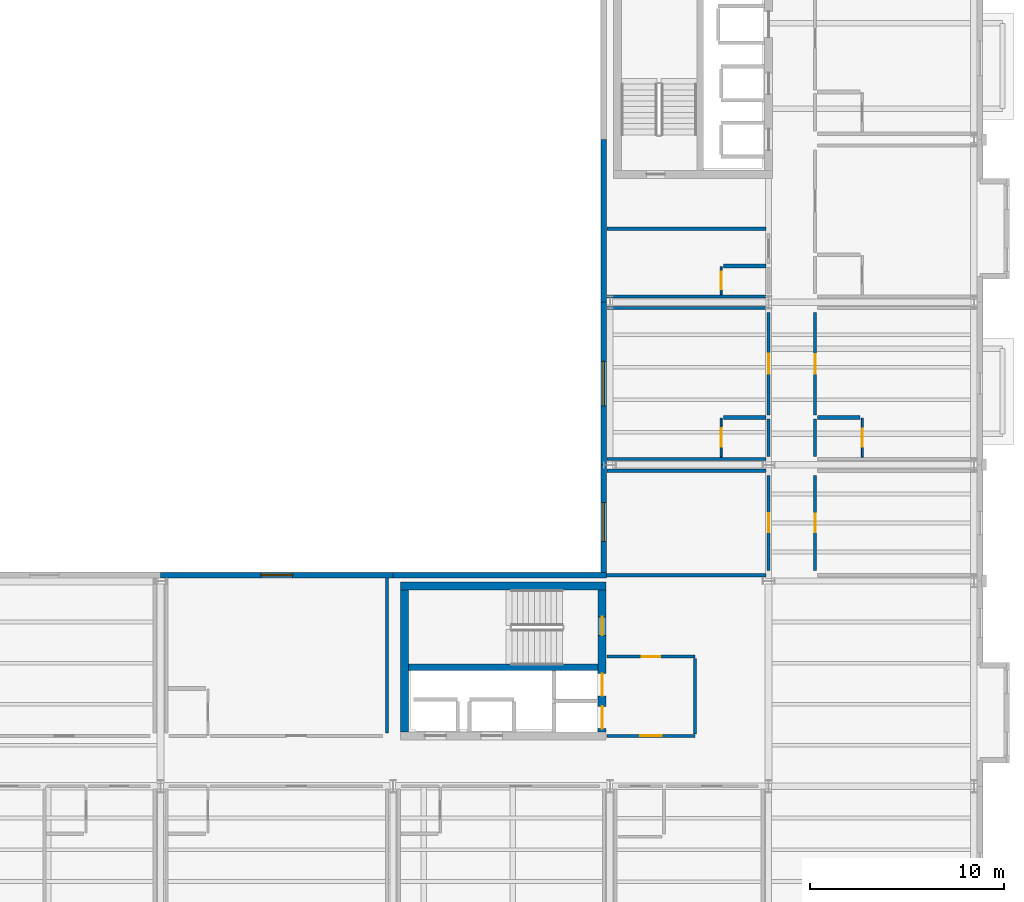
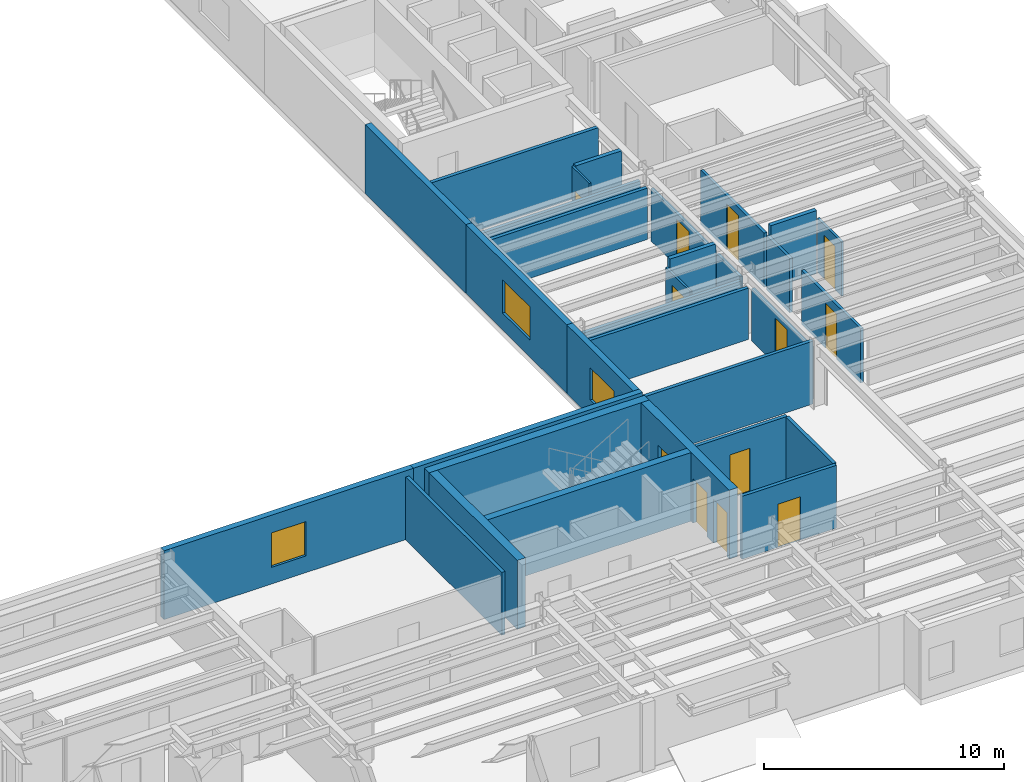
# One storey, part 15 of 23: 31 walls, 12 doors, 3 windows, 15 openings.
"""IFC4 building model written with IfcOpenShell, lengths in metres."""

from ifc_helpers import new_model, si_unit, direction, frame, frame_2d, origin, place, context, subcontext, project, spatial, rectangle, extrude, material, layer, layer_set, type_object, element, fill, save


model = new_model("IFC4")

# Units and contexts
model_context = context("Model", 3, precision=1e-05, world=origin(), true_north=direction((0.0, 1.0)))
body_context = subcontext(model_context, "Body", "Model", "MODEL_VIEW")
ifc_project = project(units=[si_unit("LENGTHUNIT", "METRE"), si_unit("AREAUNIT", "SQUARE_METRE"), si_unit("VOLUMEUNIT", "CUBIC_METRE"), si_unit("PLANEANGLEUNIT", "RADIAN"), si_unit("MASSUNIT", "GRAM", prefix="KILO")], contexts=[model_context])

# Site, building, storey
site_placement = place(None, origin())
site = spatial("IfcSite", under=ifc_project, at=site_placement, CompositionType="ELEMENT")
building_placement = place(site_placement, origin())
building = spatial("IfcBuilding", under=site, at=building_placement, Name="Sollismere Congress Hotel", CompositionType="ELEMENT")
storey_placement = place(building_placement, frame((0.0, 0.0, 30.60009765625)))
storey = spatial("IfcBuildingStorey", under=building, at=storey_placement, Name="L07", CompositionType="ELEMENT", Elevation=30.60009765625)

# Wall, opening, window
ifc_material_1 = material(Name="Colorado Buff Sandstone Rainscreen on Insulated Backup", Category="masonry")
ifc_layer_1 = layer(ifc_material_1, 0.284912109375, Name="Colorado Buff Sandstone Rainscreen on Insulated Backup")
ifc_layer_set_1 = layer_set([ifc_layer_1], Name="Colorado Buff Sandstone Rainscreen on Insulated Backup")
wall_type_1 = type_object("IfcWallType", Name="WL-EXT285", PredefinedType="STANDARD", material=ifc_layer_set_1)
wall_1_placement = place(storey_placement, frame((136.0, 19.110107421875, 0.0), z_axis=(0.0, 0.0, 1.0), x_axis=(-1.0, 0.0, 0.0)))
wall_1 = element("IfcWall", 1, at=wall_1_placement, inside=storey, type_object=wall_type_1, Name="Exterior wall EW-L07-800", PredefinedType="STANDARD", context=body_context, shape_type="SweptSolid", body=[
    extrude(rectangle(XDim=12.0, YDim=0.284912109375, at=frame_2d((6.0, 0.0))), origin(), (0.0, 0.0, 1.0), 3.5),
])
opening_1_placement = place(wall_1_placement, frame((5.175048828125, 0.0, 0.85009765625)))
opening_1 = element("IfcOpeningElement", 2, at=opening_1_placement, cuts=wall_1, Name="Opening W-L07-580", PredefinedType="OPENING", context=body_context, shape_type="SweptSolid", body=[
    extrude(rectangle(XDim=1.64990234375, YDim=1.75, at=frame_2d((0.824951171875, 0.875))), frame((0.0, 0.15234375, 0.0), z_axis=(0.0, -1.0, 0.0), x_axis=(1.0, 0.0, 0.0)), (0.0, 0.0, 1.0), 0.304931640625),
])
ifc_material_2 = material(Name="Thermally Broken Bronze Aluminum & Low-E Glass", Category="aluminium")
window_type_1 = type_object("IfcWindowType", Name="WN-P165x175", PartitioningType="SINGLE_PANEL", PredefinedType="WINDOW", material=ifc_material_2)
window_1_placement = place(opening_1_placement, origin())
window_1 = element("IfcWindow", 3, at=window_1_placement, inside=storey, type_object=window_type_1, Name="WIN-W-L07-580", OverallHeight=1.75, OverallWidth=1.64990234375, PartitioningType="SINGLE_PANEL", PredefinedType="WINDOW", context=body_context, shape_type="SweptSolid", body=[
    extrude(rectangle(XDim=1.64990234375, YDim=1.75, at=frame_2d((0.824951171875, 0.875))), frame((0.0, 0.030029296875, 0.0), z_axis=(0.0, -1.0, 0.0), x_axis=(1.0, 0.0, 0.0)), (0.0, 0.0, 1.0), 0.06005859375),
])
fill(opening_1, window_1)

# Wall
wall_2_placement = place(storey_placement, frame((147.030029296875, 19.110107421875, 0.0), z_axis=(0.0, 0.0, 1.0), x_axis=(-1.0, 0.0, 0.0)))
element("IfcWall", 4, at=wall_2_placement, inside=storey, type_object=wall_type_1, Name="Exterior wall EW-L07-801", PredefinedType="STANDARD", context=body_context, shape_type="SweptSolid", body=[
    extrude(rectangle(XDim=11.030029296875, YDim=0.284912109375, at=frame_2d((5.51513671875, 0.0))), origin(), (0.0, 0.0, 1.0), 3.5),
])

# Wall, opening, window
wall_3_placement = place(storey_placement, frame((146.889892578125, 19.25439453125, 0.0), z_axis=(0.0, 0.0, 1.0), x_axis=(0.0, 1.0, 0.0)))
wall_3 = element("IfcWall", 5, at=wall_3_placement, inside=storey, type_object=wall_type_1, Name="Exterior wall EW-L07-802", PredefinedType="STANDARD", context=body_context, shape_type="SweptSolid", body=[
    extrude(rectangle(XDim=5.545654296875, YDim=0.284912109375, at=frame_2d((2.77294921875, 0.0))), origin(), (0.0, 0.0, 1.0), 3.5),
])
opening_2_placement = place(wall_3_placement, frame((1.59765625, 0.0, 0.85009765625)))
opening_2 = element("IfcOpeningElement", 6, at=opening_2_placement, cuts=wall_3, Name="Opening W-L07-581", PredefinedType="OPENING", context=body_context, shape_type="SweptSolid", body=[
    extrude(rectangle(XDim=2.0, YDim=1.64990234375, at=frame_2d((1.0, 0.824951171875))), frame((0.0, 0.15234375, 0.0), z_axis=(0.0, -1.0, 0.0), x_axis=(1.0, 0.0, 0.0)), (0.0, 0.0, 1.0), 0.304931640625),
])
window_type_2 = type_object("IfcWindowType", Name="WN-P200x165", PartitioningType="SINGLE_PANEL", PredefinedType="WINDOW", material=ifc_material_2)
window_2_placement = place(opening_2_placement, origin())
window_2 = element("IfcWindow", 7, at=window_2_placement, inside=storey, type_object=window_type_2, Name="WIN-W-L07-581", OverallHeight=1.64990234375, OverallWidth=2.0, PartitioningType="SINGLE_PANEL", PredefinedType="WINDOW", context=body_context, shape_type="SweptSolid", body=[
    extrude(rectangle(XDim=2.0, YDim=1.64990234375, at=frame_2d((1.0, 0.824951171875))), frame((0.0, 0.030029296875, 0.0), z_axis=(0.0, -1.0, 0.0), x_axis=(1.0, 0.0, 0.0)), (0.0, 0.0, 1.0), 0.06005859375),
])
fill(opening_2, window_2)

wall_4_placement = place(storey_placement, frame((146.889892578125, 24.800048828125, 0.0), z_axis=(0.0, 0.0, 1.0), x_axis=(0.0, 1.0, 0.0)))
wall_4 = element("IfcWall", 8, at=wall_4_placement, inside=storey, type_object=wall_type_1, Name="Exterior wall EW-L07-803", PredefinedType="STANDARD", context=body_context, shape_type="SweptSolid", body=[
    extrude(rectangle(XDim=8.39990234375, YDim=0.284912109375, at=frame_2d((4.199951171875, 0.0))), origin(), (0.0, 0.0, 1.0), 3.5),
])
opening_3_placement = place(wall_4_placement, frame((3.050048828125, 0.0, 0.85009765625)))
opening_3 = element("IfcOpeningElement", 9, at=opening_3_placement, cuts=wall_4, Name="Opening W-L07-582", PredefinedType="OPENING", context=body_context, shape_type="SweptSolid", body=[
    extrude(rectangle(XDim=2.300048828125, YDim=1.699951171875, at=frame_2d((1.14990234375, 0.85009765625))), frame((0.0, 0.15234375, 0.0), z_axis=(0.0, -1.0, 0.0), x_axis=(1.0, 0.0, 0.0)), (0.0, 0.0, 1.0), 0.304931640625),
])
window_type_3 = type_object("IfcWindowType", Name="WN-P230x170", PartitioningType="SINGLE_PANEL", PredefinedType="WINDOW", material=ifc_material_2)
window_3_placement = place(opening_3_placement, origin())
window_3 = element("IfcWindow", 10, at=window_3_placement, inside=storey, type_object=window_type_3, Name="WIN-W-L07-582", OverallHeight=1.699951171875, OverallWidth=2.300048828125, PartitioningType="SINGLE_PANEL", PredefinedType="WINDOW", context=body_context, shape_type="SweptSolid", body=[
    extrude(rectangle(XDim=2.300048828125, YDim=1.699951171875, at=frame_2d((1.14990234375, 0.85009765625))), frame((0.0, 0.030029296875, 0.0), z_axis=(0.0, -1.0, 0.0), x_axis=(1.0, 0.0, 0.0)), (0.0, 0.0, 1.0), 0.06005859375),
])
fill(opening_3, window_3)

# Walls
wall_5_placement = place(storey_placement, frame((146.889892578125, 33.199951171875, 0.0), z_axis=(0.0, 0.0, 1.0), x_axis=(0.0, 1.0, 0.0)))
element("IfcWall", 11, at=wall_5_placement, inside=storey, type_object=wall_type_1, Name="Exterior wall EW-L07-804", PredefinedType="STANDARD", context=body_context, shape_type="SweptSolid", body=[
    extrude(rectangle(XDim=8.400146484375, YDim=0.284912109375, at=frame_2d((4.2001953125, 0.0))), origin(), (0.0, 0.0, 1.0), 3.5),
])
ifc_material_3 = material(Name="Moisture-Resistant Shaft Gypsum Assembly")
ifc_layer_2 = layer(ifc_material_3, 0.199951171875, Name="Moisture-Resistant Shaft Gypsum Assembly")
ifc_layer_set_2 = layer_set([ifc_layer_2], Name="Moisture-Resistant Shaft Gypsum Assembly")
wall_type_2 = type_object("IfcWallType", Name="WL-PLM200", PredefinedType="PLUMBINGWALL", material=ifc_layer_set_2)
for number, where, z_axis, x_axis, name in (
    (12, (157.919921875, 27.25, 0.0), (0.0, 0.0, 1.0), (1.0, 0.0, 0.0), "Interior wall IW-L07-2331"),
    (13, (153.070068359375, 27.25, 0.0), (0.0, 0.0, 1.0), (1.0, 0.0, 0.0), "Interior wall IW-L07-2337"),
    (14, (153.070068359375, 35.074951171875, 0.0), (0.0, 0.0, 1.0), (1.0, 0.0, 0.0), "Interior wall IW-L07-2349"),
):
    element("IfcWall", number, at=place(storey_placement, frame(where, z_axis=z_axis, x_axis=x_axis)), inside=storey, type_object=wall_type_2, Name=name, PredefinedType="PLUMBINGWALL", context=body_context, shape_type="SweptSolid", body=[
        extrude(rectangle(XDim=2.2099609375, YDim=0.199951171875, at=frame_2d((1.10498046875, 0.0))), origin(), (0.0, 0.0, 1.0), 3.199951171875),
    ])

# Wall, opening, door
ifc_material_4 = material(Name="Moisture-Resistant Gypsum Partition")
ifc_layer_3 = layer(ifc_material_4, 0.10009765625, Name="Moisture-Resistant Gypsum Partition")
ifc_layer_set_3 = layer_set([ifc_layer_3], Name="Moisture-Resistant Gypsum Partition")
wall_type_3 = type_object("IfcWallType", Name="WL-PRT100", PredefinedType="PARTITIONING", material=ifc_layer_set_3)
wall_6_placement = place(storey_placement, frame((160.25, 25.194580078125, 0.0), z_axis=(0.0, 0.0, 1.0), x_axis=(0.0, 1.0, 0.0)))
wall_6 = element("IfcWall", 15, at=wall_6_placement, inside=storey, type_object=wall_type_3, Name="Interior wall IW-L07-2332", PredefinedType="PARTITIONING", context=body_context, shape_type="SweptSolid", body=[
    extrude(rectangle(XDim=2.015380859375, YDim=0.10009765625, at=frame_2d((1.0078125, 0.0))), origin(), (0.0, 0.0, 1.0), 2.7529296875),
])
opening_4_placement = place(wall_6_placement, frame((0.54296875, 0.0, 0.0)))
opening_4 = element("IfcOpeningElement", 16, at=opening_4_placement, cuts=wall_6, Name="Opening D-L07-0823", PredefinedType="OPENING", context=body_context, shape_type="SweptSolid", body=[
    extrude(rectangle(XDim=0.929931640625, YDim=2.219970703125, at=frame_2d((0.46484375, 1.10986328125))), frame((0.0, 0.06005859375, 0.0), z_axis=(0.0, -1.0, 0.0), x_axis=(1.0, 0.0, 0.0)), (0.0, 0.0, 1.0), 0.1201171875),
])
ifc_material_5 = material(Name="Moisture-Sealed Timber Bathroom Door", Category="wood")
door_type_1 = type_object("IfcDoorType", Name="DR-BT07", OperationType="NOTDEFINED", PredefinedType="DOOR", material=ifc_material_5)
door_1_placement = place(opening_4_placement, origin())
door_1 = element("IfcDoor", 17, at=door_1_placement, inside=storey, type_object=door_type_1, Name="En-suite bathroom door D-L07-0823", OperationType="SINGLE_SWING_RIGHT", OverallHeight=2.219970703125, OverallWidth=0.929931640625, PredefinedType="DOOR", context=body_context, shape_type="SweptSolid", body=[
    extrude(rectangle(XDim=0.929931640625, YDim=2.219970703125, at=frame_2d((0.46484375, 1.10986328125))), frame((0.0, 0.02490234375, 0.0), z_axis=(0.0, -1.0, 0.0), x_axis=(1.0, 0.0, 0.0)), (0.0, 0.0, 1.0), 0.050048828125),
])
fill(opening_4, door_1)

wall_7_placement = place(storey_placement, frame((152.949951171875, 25.194580078125, 0.0), z_axis=(0.0, 0.0, 1.0), x_axis=(0.0, 1.0, 0.0)))
wall_7 = element("IfcWall", 18, at=wall_7_placement, inside=storey, type_object=wall_type_3, Name="Interior wall IW-L07-2338", PredefinedType="PARTITIONING", context=body_context, shape_type="SweptSolid", body=[
    extrude(rectangle(XDim=2.015380859375, YDim=0.10009765625, at=frame_2d((1.0078125, 0.0))), origin(), (0.0, 0.0, 1.0), 2.807861328125),
])
opening_5_placement = place(wall_7_placement, frame((0.530029296875, 0.0, 0.0)))
opening_5 = element("IfcOpeningElement", 19, at=opening_5_placement, cuts=wall_7, Name="Opening D-L07-0825", PredefinedType="OPENING", context=body_context, shape_type="SweptSolid", body=[
    extrude(rectangle(XDim=0.955078125, YDim=2.219970703125, at=frame_2d((0.4775390625, 1.10986328125))), frame((0.0, 0.06005859375, 0.0), z_axis=(0.0, -1.0, 0.0), x_axis=(1.0, 0.0, 0.0)), (0.0, 0.0, 1.0), 0.1201171875),
])
door_type_2 = type_object("IfcDoorType", Name="DR-BT08", OperationType="NOTDEFINED", PredefinedType="DOOR", material=ifc_material_5)
door_2_placement = place(opening_5_placement, origin())
door_2 = element("IfcDoor", 20, at=door_2_placement, inside=storey, type_object=door_type_2, Name="En-suite bathroom door D-L07-0825", OperationType="SINGLE_SWING_RIGHT", OverallHeight=2.219970703125, OverallWidth=0.955078125, PredefinedType="DOOR", context=body_context, shape_type="SweptSolid", body=[
    extrude(rectangle(XDim=0.955078125, YDim=2.219970703125, at=frame_2d((0.4775390625, 1.10986328125))), frame((0.0, 0.02490234375, 0.0), z_axis=(0.0, -1.0, 0.0), x_axis=(1.0, 0.0, 0.0)), (0.0, 0.0, 1.0), 0.050048828125),
])
fill(opening_5, door_2)

wall_8_placement = place(storey_placement, frame((152.949951171875, 33.594482421875, 0.0), z_axis=(0.0, 0.0, 1.0), x_axis=(0.0, 1.0, 0.0)))
wall_8 = element("IfcWall", 21, at=wall_8_placement, inside=storey, type_object=wall_type_3, Name="Interior wall IW-L07-2350", PredefinedType="PARTITIONING", context=body_context, shape_type="SweptSolid", body=[
    extrude(rectangle(XDim=1.4404296875, YDim=0.10009765625, at=frame_2d((0.72021484375, 0.0))), origin(), (0.0, 0.0, 1.0), 3.199951171875),
])
opening_6_placement = place(wall_8_placement, frame((0.26806640625, 0.0, 0.0)))
opening_6 = element("IfcOpeningElement", 22, at=opening_6_placement, cuts=wall_8, Name="Opening D-L07-0829", PredefinedType="OPENING", context=body_context, shape_type="SweptSolid", body=[
    extrude(rectangle(XDim=0.905029296875, YDim=2.10009765625, at=frame_2d((0.45263671875, 1.050048828125))), frame((0.0, 0.06005859375, 0.0), z_axis=(0.0, -1.0, 0.0), x_axis=(1.0, 0.0, 0.0)), (0.0, 0.0, 1.0), 0.1201171875),
])
door_type_3 = type_object("IfcDoorType", Name="DR-BT02", OperationType="NOTDEFINED", PredefinedType="DOOR", material=ifc_material_5)
door_3_placement = place(opening_6_placement, origin())
door_3 = element("IfcDoor", 23, at=door_3_placement, inside=storey, type_object=door_type_3, Name="En-suite bathroom door D-L07-0829", OperationType="SINGLE_SWING_RIGHT", OverallHeight=2.10009765625, OverallWidth=0.905029296875, PredefinedType="DOOR", context=body_context, shape_type="SweptSolid", body=[
    extrude(rectangle(XDim=0.905029296875, YDim=2.10009765625, at=frame_2d((0.45263671875, 1.050048828125))), frame((0.0, 0.02490234375, 0.0), z_axis=(0.0, -1.0, 0.0), x_axis=(1.0, 0.0, 0.0)), (0.0, 0.0, 1.0), 0.050048828125),
])
fill(opening_6, door_3)

# Wall
ifc_material_6 = material(Name="Fire-Rated Gypsum Partition")
ifc_layer_4 = layer(ifc_material_6, 0.139892578125, Name="Fire-Rated Gypsum Partition")
ifc_layer_set_4 = layer_set([ifc_layer_4], Name="Fire-Rated Gypsum Partition")
wall_type_4 = type_object("IfcWallType", Name="WL-PRT140R", PredefinedType="PARTITIONING", material=ifc_layer_set_4)
wall_9_placement = place(storey_placement, frame((157.800048828125, 25.239990234375, 0.0), z_axis=(0.0, 0.0, 1.0), x_axis=(0.0, 1.0, 0.0)))
element("IfcWall", 24, at=wall_9_placement, inside=storey, type_object=wall_type_4, Name="Interior wall IW-L07-2327", PredefinedType="PARTITIONING", context=body_context, shape_type="SweptSolid", body=[
    extrude(rectangle(XDim=1.929931640625, YDim=0.139892578125, at=frame_2d((0.96484375, 0.0))), origin(), (0.0, 0.0, 1.0), 2.7529296875),
])

# Wall, opening, door
wall_10_placement = place(storey_placement, frame((157.800048828125, 27.3701171875, 0.0), z_axis=(0.0, 0.0, 1.0), x_axis=(0.0, 1.0, 0.0)))
wall_10 = element("IfcWall", 25, at=wall_10_placement, inside=storey, type_object=wall_type_4, Name="Interior wall IW-L07-2328", PredefinedType="PARTITIONING", context=body_context, shape_type="SweptSolid", body=[
    extrude(rectangle(XDim=5.289794921875, YDim=0.139892578125, at=frame_2d((2.64501953125, 0.0))), origin(), (0.0, 0.0, 1.0), 2.7529296875),
])
opening_7_placement = place(wall_10_placement, frame((2.139892578125, 0.0, 0.0)))
opening_7 = element("IfcOpeningElement", 26, at=opening_7_placement, cuts=wall_10, Name="Opening D-L07-0822", PredefinedType="OPENING", context=body_context, shape_type="SweptSolid", body=[
    extrude(rectangle(XDim=1.010009765625, YDim=2.35009765625, at=frame_2d((0.5048828125, 1.175048828125))), frame((0.0, 0.079833984375, 0.0), z_axis=(0.0, -1.0, 0.0), x_axis=(1.0, 0.0, 0.0)), (0.0, 0.0, 1.0), 0.159912109375),
])
ifc_material_7 = material(Name="Solid-Core Acoustic Walnut Guestroom Entry Door")
door_type_4 = type_object("IfcDoorType", Name="DR-KY10", OperationType="NOTDEFINED", PredefinedType="DOOR", material=ifc_material_7)
door_4_placement = place(opening_7_placement, origin())
door_4 = element("IfcDoor", 27, at=door_4_placement, inside=storey, type_object=door_type_4, Name="Hotel room entry door D-L07-0822", OperationType="SINGLE_SWING_LEFT", OverallHeight=2.35009765625, OverallWidth=1.010009765625, PredefinedType="DOOR", context=body_context, shape_type="SweptSolid", body=[
    extrude(rectangle(XDim=1.010009765625, YDim=2.35009765625, at=frame_2d((0.5048828125, 1.175048828125))), frame((0.0, 0.02490234375, 0.0), z_axis=(0.0, -1.0, 0.0), x_axis=(1.0, 0.0, 0.0)), (0.0, 0.0, 1.0), 0.050048828125),
])
fill(opening_7, door_4)

# Wall
wall_11_placement = place(storey_placement, frame((155.39990234375, 25.239990234375, 0.0), z_axis=(0.0, 0.0, 1.0), x_axis=(0.0, 1.0, 0.0)))
element("IfcWall", 28, at=wall_11_placement, inside=storey, type_object=wall_type_4, Name="Interior wall IW-L07-2333", PredefinedType="PARTITIONING", context=body_context, shape_type="SweptSolid", body=[
    extrude(rectangle(XDim=1.929931640625, YDim=0.139892578125, at=frame_2d((0.96484375, 0.0))), origin(), (0.0, 0.0, 1.0), 2.673828125),
])

# Wall, opening, door
wall_12_placement = place(storey_placement, frame((155.39990234375, 27.3701171875, 0.0), z_axis=(0.0, 0.0, 1.0), x_axis=(0.0, 1.0, 0.0)))
wall_12 = element("IfcWall", 29, at=wall_12_placement, inside=storey, type_object=wall_type_4, Name="Interior wall IW-L07-2334", PredefinedType="PARTITIONING", context=body_context, shape_type="SweptSolid", body=[
    extrude(rectangle(XDim=5.289794921875, YDim=0.139892578125, at=frame_2d((2.64501953125, 0.0))), origin(), (0.0, 0.0, 1.0), 2.673828125),
])
opening_8_placement = place(wall_12_placement, frame((2.125, 0.0, 0.0)))
opening_8 = element("IfcOpeningElement", 30, at=opening_8_placement, cuts=wall_12, Name="Opening D-L07-0824", PredefinedType="OPENING", context=body_context, shape_type="SweptSolid", body=[
    extrude(rectangle(XDim=1.0400390625, YDim=2.39990234375, at=frame_2d((0.52001953125, 1.199951171875))), frame((0.0, 0.079833984375, 0.0), z_axis=(0.0, -1.0, 0.0), x_axis=(1.0, 0.0, 0.0)), (0.0, 0.0, 1.0), 0.159912109375),
])
door_type_5 = type_object("IfcDoorType", Name="DR-KY11", OperationType="NOTDEFINED", PredefinedType="DOOR", material=ifc_material_7)
door_5_placement = place(opening_8_placement, origin())
door_5 = element("IfcDoor", 31, at=door_5_placement, inside=storey, type_object=door_type_5, Name="Hotel room entry door D-L07-0824", OperationType="SINGLE_SWING_LEFT", OverallHeight=2.39990234375, OverallWidth=1.0400390625, PredefinedType="DOOR", context=body_context, shape_type="SweptSolid", body=[
    extrude(rectangle(XDim=1.0400390625, YDim=2.39990234375, at=frame_2d((0.52001953125, 1.199951171875))), frame((0.0, 0.02490234375, 0.0), z_axis=(0.0, -1.0, 0.0), x_axis=(1.0, 0.0, 0.0)), (0.0, 0.0, 1.0), 0.050048828125),
])
fill(opening_8, door_5)

wall_13_placement = place(storey_placement, frame((157.800048828125, 19.340087890625, 0.0), z_axis=(0.0, 0.0, 1.0), x_axis=(0.0, 1.0, 0.0)))
wall_13 = element("IfcWall", 32, at=wall_13_placement, inside=storey, type_object=wall_type_4, Name="Interior wall IW-L07-2385", PredefinedType="PARTITIONING", context=body_context, shape_type="SweptSolid", body=[
    extrude(rectangle(XDim=4.919921875, YDim=0.139892578125, at=frame_2d((2.4599609375, 0.0))), origin(), (0.0, 0.0, 1.0), 2.7578125),
])
opening_9_placement = place(wall_13_placement, frame((1.985107421875, 0.0, 0.0)))
opening_9 = element("IfcOpeningElement", 33, at=opening_9_placement, cuts=wall_13, Name="Opening D-L07-0842", PredefinedType="OPENING", context=body_context, shape_type="SweptSolid", body=[
    extrude(rectangle(XDim=0.949951171875, YDim=2.300048828125, at=frame_2d((0.47509765625, 1.14990234375))), frame((0.0, 0.079833984375, 0.0), z_axis=(0.0, -1.0, 0.0), x_axis=(1.0, 0.0, 0.0)), (0.0, 0.0, 1.0), 0.159912109375),
])
door_type_6 = type_object("IfcDoorType", Name="DR-KY08", OperationType="NOTDEFINED", PredefinedType="DOOR", material=ifc_material_7)
door_6_placement = place(opening_9_placement, origin())
door_6 = element("IfcDoor", 34, at=door_6_placement, inside=storey, type_object=door_type_6, Name="Hotel room entry door D-L07-0842", OperationType="SINGLE_SWING_LEFT", OverallHeight=2.300048828125, OverallWidth=0.949951171875, PredefinedType="DOOR", context=body_context, shape_type="SweptSolid", body=[
    extrude(rectangle(XDim=0.949951171875, YDim=2.300048828125, at=frame_2d((0.47509765625, 1.14990234375))), frame((0.0, 0.02490234375, 0.0), z_axis=(0.0, -1.0, 0.0), x_axis=(1.0, 0.0, 0.0)), (0.0, 0.0, 1.0), 0.050048828125),
])
fill(opening_9, door_6)

wall_14_placement = place(storey_placement, frame((155.39990234375, 19.340087890625, 0.0), z_axis=(0.0, 0.0, 1.0), x_axis=(0.0, 1.0, 0.0)))
wall_14 = element("IfcWall", 35, at=wall_14_placement, inside=storey, type_object=wall_type_4, Name="Interior wall IW-L07-2388", PredefinedType="PARTITIONING", context=body_context, shape_type="SweptSolid", body=[
    extrude(rectangle(XDim=4.919921875, YDim=0.139892578125, at=frame_2d((2.4599609375, 0.0))), origin(), (0.0, 0.0, 1.0), 2.673828125),
])
opening_10_placement = place(wall_14_placement, frame((1.969970703125, 0.0, 0.0)))
opening_10 = element("IfcOpeningElement", 36, at=opening_10_placement, cuts=wall_14, Name="Opening D-L07-0843", PredefinedType="OPENING", context=body_context, shape_type="SweptSolid", body=[
    extrude(rectangle(XDim=0.97998046875, YDim=2.35009765625, at=frame_2d((0.489990234375, 1.175048828125))), frame((0.0, 0.079833984375, 0.0), z_axis=(0.0, -1.0, 0.0), x_axis=(1.0, 0.0, 0.0)), (0.0, 0.0, 1.0), 0.159912109375),
])
door_type_7 = type_object("IfcDoorType", Name="DR-KY09", OperationType="NOTDEFINED", PredefinedType="DOOR", material=ifc_material_7)
door_7_placement = place(opening_10_placement, origin())
door_7 = element("IfcDoor", 37, at=door_7_placement, inside=storey, type_object=door_type_7, Name="Hotel room entry door D-L07-0843", OperationType="SINGLE_SWING_RIGHT", OverallHeight=2.35009765625, OverallWidth=0.97998046875, PredefinedType="DOOR", context=body_context, shape_type="SweptSolid", body=[
    extrude(rectangle(XDim=0.97998046875, YDim=2.35009765625, at=frame_2d((0.489990234375, 1.175048828125))), frame((0.0, 0.02490234375, 0.0), z_axis=(0.0, -1.0, 0.0), x_axis=(1.0, 0.0, 0.0)), (0.0, 0.0, 1.0), 0.050048828125),
])
fill(opening_10, door_7)

ifc_material_8 = material(Name="Fire-Rated Acoustic Gypsum Partition")
ifc_layer_5 = layer(ifc_material_8, 0.1650390625, Name="Fire-Rated Acoustic Gypsum Partition")
ifc_layer_set_5 = layer_set([ifc_layer_5], Name="Fire-Rated Acoustic Gypsum Partition")
wall_type_5 = type_object("IfcWallType", Name="WL-PRT165R", PredefinedType="PARTITIONING", material=ifc_layer_set_5)
wall_15_placement = place(storey_placement, frame((147.050048828125, 10.800048828125, 0.0), z_axis=(0.0, 0.0, 1.0), x_axis=(1.0, 0.0, 0.0)))
wall_15 = element("IfcWall", 38, at=wall_15_placement, inside=storey, type_object=wall_type_5, Name="Interior wall IW-L07-0142", PredefinedType="PARTITIONING", context=body_context, shape_type="SweptSolid", body=[
    extrude(rectangle(XDim=4.550048828125, YDim=0.1650390625, at=frame_2d((2.27490234375, 0.0))), origin(), (0.0, 0.0, 1.0), 3.199951171875),
])
opening_11_placement = place(wall_15_placement, frame((1.72509765625, 0.0, 0.0)))
opening_11 = element("IfcOpeningElement", 39, at=opening_11_placement, cuts=wall_15, Name="Opening D-FFL-L07", PredefinedType="OPENING", context=body_context, shape_type="SweptSolid", body=[
    extrude(rectangle(XDim=1.10009765625, YDim=2.199951171875, at=frame_2d((0.550048828125, 1.10009765625))), frame((0.0, 0.092529296875, 0.0), z_axis=(0.0, -1.0, 0.0), x_axis=(1.0, 0.0, 0.0)), (0.0, 0.0, 1.0), 0.18505859375),
])
ifc_material_9 = material(Name="Smoke-Barrier Rated Timber-Clad Steel Door", Category="steel")
door_type_8 = type_object("IfcDoorType", Name="DR-FFL110", OperationType="NOTDEFINED", PredefinedType="DOOR", material=ifc_material_9)
door_8_placement = place(opening_11_placement, origin())
door_8 = element("IfcDoor", 40, at=door_8_placement, inside=storey, type_object=door_type_8, Name="Firefighting lobby smoke door D-FFL-L07", OperationType="SINGLE_SWING_RIGHT", OverallHeight=2.199951171875, OverallWidth=1.10009765625, PredefinedType="DOOR", context=body_context, shape_type="SweptSolid", body=[
    extrude(rectangle(XDim=1.10009765625, YDim=2.199951171875, at=frame_2d((0.550048828125, 1.10009765625))), frame((0.0, 0.02490234375, 0.0), z_axis=(0.0, -1.0, 0.0), x_axis=(1.0, 0.0, 0.0)), (0.0, 0.0, 1.0), 0.050048828125),
])
fill(opening_11, door_8)

wall_16_placement = place(storey_placement, frame((147.050048828125, 14.89990234375, 0.0), z_axis=(0.0, 0.0, 1.0), x_axis=(1.0, 0.0, 0.0)))
wall_16 = element("IfcWall", 41, at=wall_16_placement, inside=storey, type_object=wall_type_5, Name="Interior wall IW-L07-0143", PredefinedType="PARTITIONING", context=body_context, shape_type="SweptSolid", body=[
    extrude(rectangle(XDim=4.550048828125, YDim=0.1650390625, at=frame_2d((2.27490234375, 0.0))), origin(), (0.0, 0.0, 1.0), 3.199951171875),
])
opening_12_placement = place(wall_16_placement, frame((1.800048828125, 0.0, 0.0)))
opening_12 = element("IfcOpeningElement", 42, at=opening_12_placement, cuts=wall_16, Name="Opening D-FFS-L07", PredefinedType="OPENING", context=body_context, shape_type="SweptSolid", body=[
    extrude(rectangle(XDim=0.949951171875, YDim=2.199951171875, at=frame_2d((0.47509765625, 1.10009765625))), frame((0.0, 0.092529296875, 0.0), z_axis=(0.0, -1.0, 0.0), x_axis=(1.0, 0.0, 0.0)), (0.0, 0.0, 1.0), 0.18505859375),
])
ifc_material_10 = material(Name="Fire-Rated Insulated Steel Door", Category="steel")
door_type_9 = type_object("IfcDoorType", Name="DR-FD90", OperationType="NOTDEFINED", PredefinedType="DOOR", material=ifc_material_10)
door_9_placement = place(opening_12_placement, origin())
door_9 = element("IfcDoor", 43, at=door_9_placement, inside=storey, type_object=door_type_9, Name="Firefighting stair vestibule door D-FFS-L07", OperationType="SINGLE_SWING_LEFT", OverallHeight=2.199951171875, OverallWidth=0.949951171875, PredefinedType="DOOR", context=body_context, shape_type="SweptSolid", body=[
    extrude(rectangle(XDim=0.949951171875, YDim=2.199951171875, at=frame_2d((0.47509765625, 1.10009765625))), frame((0.0, 0.02490234375, 0.0), z_axis=(0.0, -1.0, 0.0), x_axis=(1.0, 0.0, 0.0)), (0.0, 0.0, 1.0), 0.050048828125),
])
fill(opening_12, door_9)

# Walls
wall_17_placement = place(storey_placement, frame((151.60009765625, 10.89453125, 0.0), z_axis=(0.0, 0.0, 1.0), x_axis=(0.0, 1.0, 0.0)))
element("IfcWall", 44, at=wall_17_placement, inside=storey, type_object=wall_type_5, Name="Interior wall IW-L07-0144", PredefinedType="PARTITIONING", context=body_context, shape_type="SweptSolid", body=[
    extrude(rectangle(XDim=3.910888671875, YDim=0.1650390625, at=frame_2d((1.95556640625, 0.0))), origin(), (0.0, 0.0, 1.0), 3.199951171875),
])
wall_18_placement = place(storey_placement, frame((135.699951171875, 10.93994140625, 0.0), z_axis=(0.0, 0.0, 1.0), x_axis=(0.0, 1.0, 0.0)))
element("IfcWall", 45, at=wall_18_placement, inside=storey, type_object=wall_type_5, Name="Interior wall IW-L07-2318", PredefinedType="PARTITIONING", context=body_context, shape_type="SweptSolid", body=[
    extrude(rectangle(XDim=8.012451171875, YDim=0.1650390625, at=frame_2d((4.00634765625, 0.0))), origin(), (0.0, 0.0, 1.0), 3.199951171875),
])
for number, where, z_axis, x_axis, name in (
    (46, (147.047607421875, 25.10009765625, 0.0), (0.0, 0.0, 1.0), (1.0, 0.0, 0.0), "Interior wall IW-L07-2335"),
    (47, (147.047607421875, 32.89990234375, 0.0), (0.0, 0.0, 1.0), (1.0, 0.0, 0.0), "Interior wall IW-L07-2336"),
    (48, (147.047607421875, 33.5, 0.0), (0.0, 0.0, 1.0), (1.0, 0.0, 0.0), "Interior wall IW-L07-2347"),
):
    element("IfcWall", number, at=place(storey_placement, frame(where, z_axis=z_axis, x_axis=x_axis)), inside=storey, type_object=wall_type_5, Name=name, PredefinedType="PARTITIONING", context=body_context, shape_type="SweptSolid", body=[
        extrude(rectangle(XDim=8.21240234375, YDim=0.1650390625, at=frame_2d((4.106201171875, 0.0))), origin(), (0.0, 0.0, 1.0), 2.61279296875),
    ])
wall_19_placement = place(storey_placement, frame((147.047607421875, 37.0, 0.0), z_axis=(0.0, 0.0, 1.0), x_axis=(1.0, 0.0, 0.0)))
element("IfcWall", 49, at=wall_19_placement, inside=storey, type_object=wall_type_5, Name="Interior wall IW-L07-2348", PredefinedType="PARTITIONING", context=body_context, shape_type="SweptSolid", body=[
    extrude(rectangle(XDim=8.21240234375, YDim=0.1650390625, at=frame_2d((4.106201171875, 0.0))), origin(), (0.0, 0.0, 1.0), 3.199951171875),
])
wall_20_placement = place(storey_placement, frame((147.0400390625, 19.10009765625, 0.0), z_axis=(0.0, 0.0, 1.0), x_axis=(1.0, 0.0, 0.0)))
element("IfcWall", 50, at=wall_20_placement, inside=storey, type_object=wall_type_5, Name="Interior wall IW-L07-2389", PredefinedType="PARTITIONING", context=body_context, shape_type="SweptSolid", body=[
    extrude(rectangle(XDim=8.219970703125, YDim=0.1650390625, at=frame_2d((4.10986328125, 0.0))), origin(), (0.0, 0.0, 1.0), 3.199951171875),
])
wall_21_placement = place(storey_placement, frame((147.047607421875, 24.5, 0.0), z_axis=(0.0, 0.0, 1.0), x_axis=(1.0, 0.0, 0.0)))
element("IfcWall", 51, at=wall_21_placement, inside=storey, type_object=wall_type_5, Name="Interior wall IW-L07-2390", PredefinedType="PARTITIONING", context=body_context, shape_type="SweptSolid", body=[
    extrude(rectangle(XDim=8.21240234375, YDim=0.1650390625, at=frame_2d((4.106201171875, 0.0))), origin(), (0.0, 0.0, 1.0), 2.61279296875),
])
ifc_material_11 = material(Name="Concrete C50/60", Category="concrete")
ifc_layer_6 = layer(ifc_material_11, 0.35009765625, Name="Concrete C50/60")
ifc_layer_set_6 = layer_set([ifc_layer_6], Name="Concrete C50/60")
wall_type_6 = type_object("IfcWallType", Name="WL-SHR350", PredefinedType="SHEAR", material=ifc_layer_set_6)
wall_22_placement = place(storey_placement, frame((136.800048828125, 14.35009765625, 0.0), z_axis=(0.0, 0.0, 1.0), x_axis=(1.0, 0.0, 0.0)))
element("IfcWall", 52, at=wall_22_placement, inside=storey, type_object=wall_type_6, Name="Interior wall IW-L07-0133", PredefinedType="SHEAR", context=body_context, shape_type="SweptSolid", body=[
    extrude(rectangle(XDim=9.800048828125, YDim=0.35009765625, at=frame_2d((4.89990234375, 0.0))), origin(), (0.0, 0.0, 1.0), 3.5),
])
ifc_layer_7 = layer(ifc_material_11, 0.39990234375, Name="Concrete C50/60")
ifc_layer_set_7 = layer_set([ifc_layer_7], Name="Concrete C50/60")
wall_type_7 = type_object("IfcWallType", Name="WL-SHR400", PredefinedType="SHEAR", material=ifc_layer_set_7)
wall_23_placement = place(storey_placement, frame((147.0, 18.550048828125, 0.0), z_axis=(0.0, 0.0, 1.0), x_axis=(-1.0, 0.0, 0.0)))
element("IfcWall", 53, at=wall_23_placement, inside=storey, type_object=wall_type_7, Name="Interior wall IW-L07-0130", PredefinedType="SHEAR", context=body_context, shape_type="SweptSolid", body=[
    extrude(rectangle(XDim=10.60009765625, YDim=0.39990234375, at=frame_2d((5.300048828125, 0.0))), origin(), (0.0, 0.0, 1.0), 3.5),
])
wall_24_placement = place(storey_placement, frame((136.60009765625, 18.35009765625, 0.0), z_axis=(0.0, 0.0, 1.0), x_axis=(0.0, -1.0, 0.0)))
element("IfcWall", 54, at=wall_24_placement, inside=storey, type_object=wall_type_7, Name="Interior wall IW-L07-0131", PredefinedType="SHEAR", context=body_context, shape_type="SweptSolid", body=[
    extrude(rectangle(XDim=7.35009765625, YDim=0.39990234375, at=frame_2d((3.675048828125, 0.0))), origin(), (0.0, 0.0, 1.0), 3.5),
])

# Wall, openings, doors
wall_25_placement = place(storey_placement, frame((146.800048828125, 11.0, 0.0), z_axis=(0.0, 0.0, 1.0), x_axis=(0.0, 1.0, 0.0)))
wall_25 = element("IfcWall", 55, at=wall_25_placement, inside=storey, type_object=wall_type_7, Name="Interior wall IW-L07-0132", PredefinedType="SHEAR", context=body_context, shape_type="SweptSolid", body=[
    extrude(rectangle(XDim=7.35009765625, YDim=0.39990234375, at=frame_2d((3.675048828125, 0.0))), origin(), (0.0, 0.0, 1.0), 3.5),
])
opening_13_placement = place(wall_25_placement, frame((5.0, 0.0, 0.0)))
opening_13 = element("IfcOpeningElement", 56, at=opening_13_placement, cuts=wall_25, Name="Opening D-ST-01-L07", PredefinedType="OPENING", context=body_context, shape_type="SweptSolid", body=[
    extrude(rectangle(XDim=0.949951171875, YDim=2.199951171875, at=frame_2d((0.47509765625, 1.10009765625))), frame((0.0, 0.2099609375, 0.0), z_axis=(0.0, -1.0, 0.0), x_axis=(1.0, 0.0, 0.0)), (0.0, 0.0, 1.0), 0.419921875),
])
opening_14_placement = place(wall_25_placement, frame((0.175048828125, 0.0, 0.0)))
opening_14 = element("IfcOpeningElement", 57, at=opening_14_placement, cuts=wall_25, Name="Opening LD-FL-01-L07", PredefinedType="OPENING", context=body_context, shape_type="SweptSolid", body=[
    extrude(rectangle(XDim=1.14990234375, YDim=2.25, at=frame_2d((0.574951171875, 1.125))), frame((0.0, 0.2099609375, 0.0), z_axis=(0.0, -1.0, 0.0), x_axis=(1.0, 0.0, 0.0)), (0.0, 0.0, 1.0), 0.419921875),
])
opening_15_placement = place(wall_25_placement, frame((1.875, 0.0, 0.0)))
opening_15 = element("IfcOpeningElement", 58, at=opening_15_placement, cuts=wall_25, Name="Opening LD-FL-02-L07", PredefinedType="OPENING", context=body_context, shape_type="SweptSolid", body=[
    extrude(rectangle(XDim=1.14990234375, YDim=2.25, at=frame_2d((0.574951171875, 1.125))), frame((0.0, 0.2099609375, 0.0), z_axis=(0.0, -1.0, 0.0), x_axis=(1.0, 0.0, 0.0)), (0.0, 0.0, 1.0), 0.419921875),
])
door_10_placement = place(opening_13_placement, origin())
door_10 = element("IfcDoor", 59, at=door_10_placement, inside=storey, type_object=door_type_9, Name="Exit stair fire door D-ST-01-L07", OperationType="SINGLE_SWING_LEFT", OverallHeight=2.199951171875, OverallWidth=0.949951171875, PredefinedType="DOOR", context=body_context, shape_type="SweptSolid", body=[
    extrude(rectangle(XDim=0.949951171875, YDim=2.199951171875, at=frame_2d((0.47509765625, 1.10009765625))), frame((0.0, 0.02490234375, 0.0), z_axis=(0.0, -1.0, 0.0), x_axis=(1.0, 0.0, 0.0)), (0.0, 0.0, 1.0), 0.050048828125),
])
fill(opening_13, door_10)
ifc_material_12 = material(Name="Stainless Steel Sliding Elevator Landing Door", Category="steel")
door_type_10 = type_object("IfcDoorType", Name="DR-LD115", OperationType="NOTDEFINED", PredefinedType="DOOR", material=ifc_material_12)
door_11_placement = place(opening_14_placement, origin())
door_11 = element("IfcDoor", 60, at=door_11_placement, inside=storey, type_object=door_type_10, Name="Elevator landing door LD-FL-01-L07", OperationType="SLIDING_TO_LEFT", OverallHeight=2.25, OverallWidth=1.14990234375, PredefinedType="DOOR", context=body_context, shape_type="SweptSolid", body=[
    extrude(rectangle(XDim=1.14990234375, YDim=2.25, at=frame_2d((0.574951171875, 1.125))), frame((0.0, 0.02490234375, 0.0), z_axis=(0.0, -1.0, 0.0), x_axis=(1.0, 0.0, 0.0)), (0.0, 0.0, 1.0), 0.050048828125),
])
fill(opening_14, door_11)
door_12_placement = place(opening_15_placement, origin())
door_12 = element("IfcDoor", 61, at=door_12_placement, inside=storey, type_object=door_type_10, Name="Elevator landing door LD-FL-02-L07", OperationType="SLIDING_TO_RIGHT", OverallHeight=2.25, OverallWidth=1.14990234375, PredefinedType="DOOR", context=body_context, shape_type="SweptSolid", body=[
    extrude(rectangle(XDim=1.14990234375, YDim=2.25, at=frame_2d((0.574951171875, 1.125))), frame((0.0, 0.02490234375, 0.0), z_axis=(0.0, -1.0, 0.0), x_axis=(1.0, 0.0, 0.0)), (0.0, 0.0, 1.0), 0.050048828125),
])
fill(opening_15, door_12)

save(model, "model.ifc")
